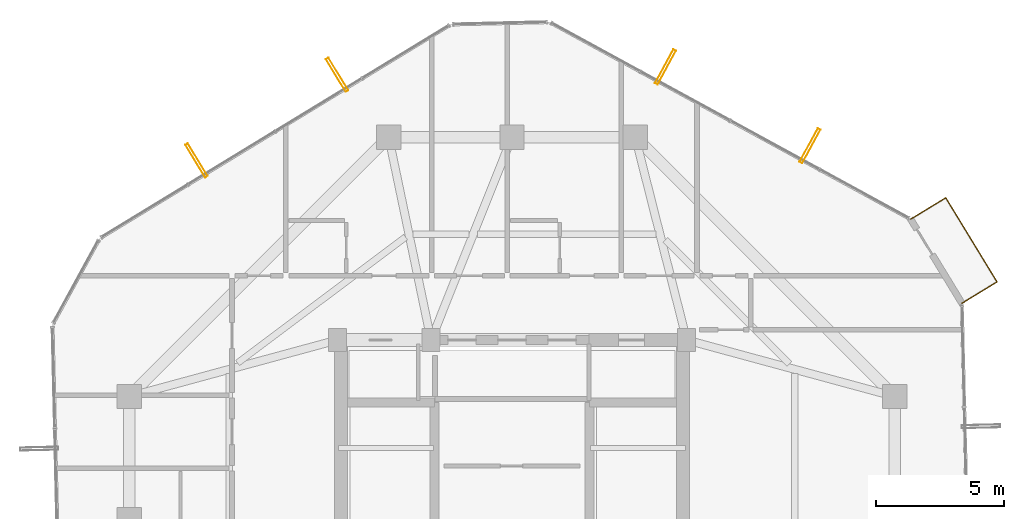
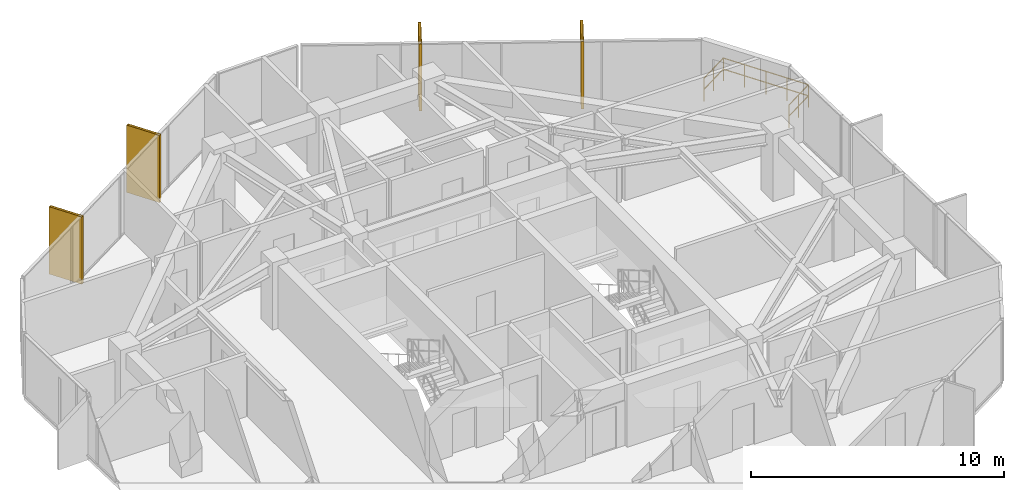
# One storey, part 32 of 32: 4 shading devices, 1 railing.
"""IFC4 building model written with IfcOpenShell, lengths in metres."""

from ifc_helpers import new_model, si_unit, direction, frame, origin, origin_2d, place, context, subcontext, project, spatial, hollow_rectangle, circle, extrude, material, material_profile, profile_set, type_object, element, save


model = new_model("IFC4")

# Units and contexts
model_context = context("Model", 3, precision=1e-05, world=origin(), true_north=direction((0.0, 1.0)))
body_context = subcontext(model_context, "Body", "Model", "MODEL_VIEW")
ifc_project = project(units=[si_unit("LENGTHUNIT", "METRE"), si_unit("AREAUNIT", "SQUARE_METRE"), si_unit("VOLUMEUNIT", "CUBIC_METRE"), si_unit("PLANEANGLEUNIT", "RADIAN"), si_unit("MASSUNIT", "GRAM", prefix="KILO")], contexts=[model_context])

# Site, building, storey
site_placement = place(None, origin())
site = spatial("IfcSite", under=ifc_project, at=site_placement, CompositionType="ELEMENT")
building_placement = place(site_placement, origin())
building = spatial("IfcBuilding", under=site, at=building_placement, Name="Veraguas Prism Commons", CompositionType="ELEMENT")
storey_placement = place(building_placement, frame((0.0, 0.0, 201.60009765625)))
storey = spatial("IfcBuildingStorey", under=building, at=storey_placement, Name="L57", CompositionType="ELEMENT", Elevation=201.60009765625)

# Shading devices
ifc_material_1 = material(Name="Anodised aluminium EN AW-6063 T6", Category="aluminium")
ifc_material_profile = material_profile(ifc_material_1, hollow_rectangle(XDim=0.1201171875, YDim=1.489990234375, WallThickness=0.006103515625, at=origin_2d()), Name="FIN120X1490X6")
ifc_profile_set = profile_set([ifc_material_profile], Name="Anodised aluminium EN AW-6063 T6")
shading_device_type = type_object("IfcShadingDeviceType", Name="Deep Pale-Metal Vertical Solar Fin 120x1490", PredefinedType="USERDEFINED", material=ifc_profile_set)
for number, where, z_axis, x_axis, name in (
    (1, (35.6005859375, 38.555908203125, -0.215087890625), (0.0, 0.0, 1.0), (-0.87764606189, 0.479309284335, 0.0), "Vertical Pale-Metal Solar Fin L57-F1A"),
    (2, (29.975830078125, 41.627685546875, -0.215087890625), (0.0, 0.0, 1.0), (-0.87764606189, 0.479309284335, 0.0), "Vertical Pale-Metal Solar Fin L57-F1B"),
    (3, (17.194580078125, 41.324462890625, -0.215087890625), (0.0, 0.0, 1.0), (-0.853914322581, -0.520413614052, 0.0), "Vertical Pale-Metal Solar Fin L57-F2A"),
    (4, (11.7216796875, 37.989013671875, -0.215087890625), (0.0, 0.0, 1.0), (-0.853914322581, -0.520413614052, 0.0), "Vertical Pale-Metal Solar Fin L57-F2B"),
):
    element("IfcShadingDevice", number, at=place(storey_placement, frame(where, z_axis=z_axis, x_axis=x_axis)), inside=storey, type_object=shading_device_type, Name=name, ObjectType="FIN", PredefinedType="USERDEFINED", context=body_context, shape_type="SweptSolid", body=[
        extrude(hollow_rectangle(XDim=0.1201171875, YDim=1.489990234375, WallThickness=0.006103515625, at=origin_2d()), origin(), (0.0, 0.0, 1.0), 3.25),
    ])

# Railing
ifc_material_2 = material(Name="Stainless steel AISI 316", Category="steel")
railing_type = type_object("IfcRailingType", Name="Loggia and Sky Pool Glazed Balustrade 1120", PredefinedType="BALUSTRADE", material=ifc_material_2)
railing_placement = place(storey_placement, frame((41.51513671875, 32.42919921875, 0.0)))
element("IfcRailing", 5, at=railing_placement, inside=storey, type_object=railing_type, Name="Recessed Corner Loggia L57-C1 Guard", PredefinedType="BALUSTRADE", context=body_context, shape_type="SweptSolid", body=[
    extrude(circle(Radius=0.02392578125, at=origin_2d()), frame((0.0, 0.0, 1.09619140625), z_axis=(0.853877223189, 0.520474483255, 0.0), x_axis=(-0.520474483255, 0.853877223189, 0.0)), (0.0, 0.0, 1.0), 1.60009765625),
    extrude(circle(Radius=0.02392578125, at=origin_2d()), frame((0.0, 0.0, 0.56005859375), z_axis=(0.853877223189, 0.520474483255, 0.0), x_axis=(-0.520474483255, 0.853877223189, 0.0)), (0.0, 0.0, 1.0), 1.60009765625),
    extrude(circle(Radius=0.02392578125, at=origin_2d()), frame((1.3662109375, 0.832763671875, 1.09619140625), z_axis=(-0.520401368474, 0.853921785464, 0.0), x_axis=(-0.853921785464, -0.520401368474, 0.0)), (0.0, 0.0, 1.0), 3.834228515625),
    extrude(circle(Radius=0.02392578125, at=origin_2d()), frame((1.3662109375, 0.832763671875, 0.56005859375), z_axis=(-0.520401368474, 0.853921785464, 0.0), x_axis=(-0.853921785464, -0.520401368474, 0.0)), (0.0, 0.0, 1.0), 3.834228515625),
    extrude(circle(Radius=0.02392578125, at=origin_2d()), frame((-0.629150390625, 4.10693359375, 1.09619140625), z_axis=(-0.853986346676, -0.520295415788, 0.0), x_axis=(0.520295415788, -0.853986346676, 0.0)), (0.0, 0.0, 1.0), 1.60009765625),
    extrude(circle(Radius=0.02392578125, at=origin_2d()), frame((-0.629150390625, 4.10693359375, 0.56005859375), z_axis=(-0.853986346676, -0.520295415788, 0.0), x_axis=(0.520295415788, -0.853986346676, 0.0)), (0.0, 0.0, 1.0), 1.60009765625),
    extrude(circle(Radius=0.02099609375, at=origin_2d()), origin(), (0.0, 0.0, 1.0), 1.072021484375),
    extrude(circle(Radius=0.02099609375, at=origin_2d()), frame((0.68310546875, 0.41650390625, 0.0)), (0.0, 0.0, 1.0), 1.072021484375),
    extrude(circle(Radius=0.02099609375, at=origin_2d()), frame((1.3662109375, 0.832763671875, 0.0)), (0.0, 0.0, 1.0), 1.072021484375),
    extrude(circle(Radius=0.02099609375, at=origin_2d()), frame((0.867431640625, 1.6513671875, 0.0)), (0.0, 0.0, 1.0), 1.072021484375),
    extrude(circle(Radius=0.02099609375, at=origin_2d()), frame((0.36865234375, 2.4697265625, 0.0)), (0.0, 0.0, 1.0), 1.072021484375),
    extrude(circle(Radius=0.02099609375, at=origin_2d()), frame((-0.13037109375, 3.288330078125, 0.0)), (0.0, 0.0, 1.0), 1.072021484375),
    extrude(circle(Radius=0.02099609375, at=origin_2d()), frame((-0.629150390625, 4.10693359375, 0.0)), (0.0, 0.0, 1.0), 1.072021484375),
    extrude(circle(Radius=0.02099609375, at=origin_2d()), frame((-1.3125, 3.690673828125, 0.0)), (0.0, 0.0, 1.0), 1.072021484375),
    extrude(circle(Radius=0.02099609375, at=origin_2d()), frame((-1.99560546875, 3.2744140625, 0.0)), (0.0, 0.0, 1.0), 1.072021484375),
])

save(model, "model.ifc")
